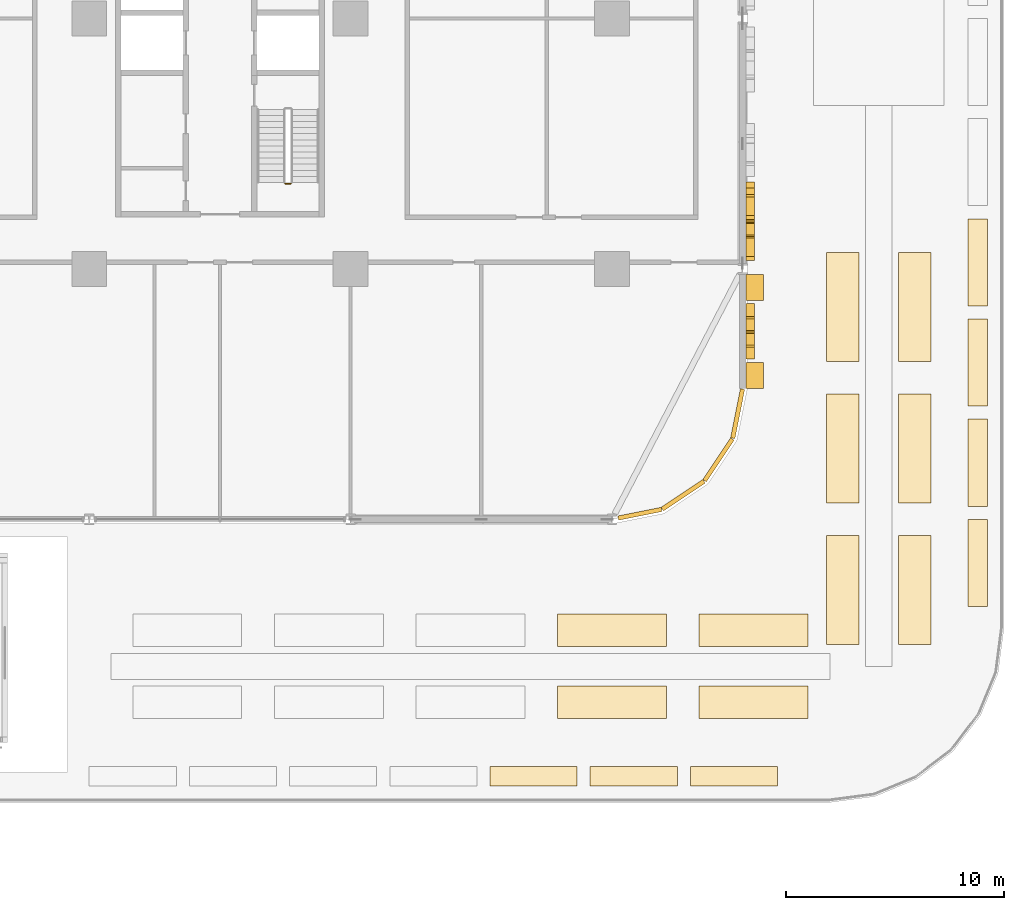
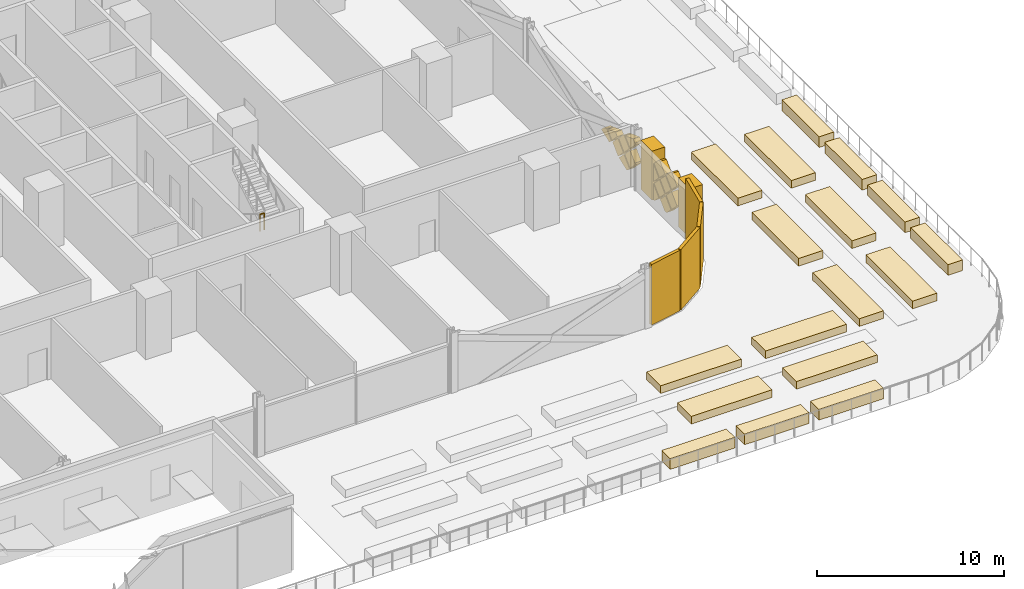
# One storey, part 36 of 39: 38 coverings, 1 railing.
"""IFC4 building model written with IfcOpenShell, lengths in metres."""

from ifc_helpers import new_model, si_unit, direction, frame, origin, origin_2d, place, context, subcontext, project, spatial, polyline, rectangle, circle, outline, extrude, material, layer, layer_set, type_object, element, save


model = new_model("IFC4")

# Units and contexts
model_context = context("Model", 3, precision=1e-05, world=origin(), true_north=direction((0.0, 1.0)))
body_context = subcontext(model_context, "Body", "Model", "MODEL_VIEW")
ifc_project = project(units=[si_unit("LENGTHUNIT", "METRE"), si_unit("AREAUNIT", "SQUARE_METRE"), si_unit("VOLUMEUNIT", "CUBIC_METRE"), si_unit("PLANEANGLEUNIT", "RADIAN"), si_unit("MASSUNIT", "GRAM", prefix="KILO")], contexts=[model_context])

# Site, building, storey
site_placement = place(None, origin())
site = spatial("IfcSite", under=ifc_project, at=site_placement, CompositionType="ELEMENT")
building_placement = place(site_placement, origin())
building = spatial("IfcBuilding", under=site, at=building_placement, Name="Mahtab Terrace Research Tower", CompositionType="ELEMENT")
storey_placement = place(building_placement, frame((0.0, 0.0, 7.199951171875)))
storey = spatial("IfcBuildingStorey", under=building, at=storey_placement, Name="L01", CompositionType="ELEMENT", Elevation=7.199951171875)

# Coverings
ifc_material_1 = material(Name="Black aluminium cladding panel", Category="aluminium")
ifc_layer_1 = layer(ifc_material_1, 0.199951171875)
ifc_layer_set_1 = layer_set([ifc_layer_1], Name="Black metal corner cladding 200")
covering_type_1 = type_object("IfcCoveringType", Name="Black metal corner cladding 200", PredefinedType="CLADDING", material=ifc_layer_set_1)
covering_1_placement = place(storey_placement, frame((43.28173828125, -22.744873046875, 0.0), z_axis=(0.0, 0.0, 1.0), x_axis=(0.980760981187, 0.195212442692, 0.0)))
element("IfcCovering", 1, at=covering_1_placement, inside=storey, type_object=covering_type_1, Name="Corner cladding L01 29", PredefinedType="CLADDING", context=body_context, shape_type="SweptSolid", body=[
    extrude(rectangle(XDim=2.0283203125, YDim=0.199951171875, at=origin_2d()), origin(), (0.0, 0.0, 1.0), 3.9599609375),
])
for number, where, z_axis, x_axis, name in (
    (2, (45.26953125, -21.89306640625, 0.0), (0.0, 0.0, 1.0), (0.831655794326, 0.555291490808, 0.0), "Corner cladding L01 30"),
    (3, (46.89306640625, -20.26953125, 0.0), (0.0, 0.0, 1.0), (0.555291490808, 0.831655794326, 0.0), "Corner cladding L01 31"),
    (4, (47.771484375, -18.14794921875, 0.0), (0.0, 0.0, 1.0), (0.195212442692, 0.980760981187, 0.0), "Corner cladding L01 32"),
):
    element("IfcCovering", number, at=place(storey_placement, frame(where, z_axis=z_axis, x_axis=x_axis)), inside=storey, type_object=covering_type_1, Name=name, PredefinedType="CLADDING", context=body_context, shape_type="SweptSolid", body=[
        extrude(rectangle(XDim=2.30126953125, YDim=0.199951171875, at=origin_2d()), origin(), (0.0, 0.0, 1.0), 3.9599609375),
    ])
ifc_material_2 = material(Name="Bronze anodised aluminium", Category="aluminium")
ifc_layer_2 = layer(ifc_material_2, 0.39990234375)
ifc_layer_set_2 = layer_set([ifc_layer_2], Name="Mashrabiya relief panel 400")
covering_type_2 = type_object("IfcCoveringType", Name="Mashrabiya relief panel 400", PredefinedType="CLADDING", material=ifc_layer_set_2)
covering_2_placement = place(storey_placement, frame((48.14990234375, -15.050048828125, 1.830078125), z_axis=(-1.0, 0.0, 0.0), x_axis=(0.0, 0.707106781187, -0.707106781187)))
element("IfcCovering", 5, at=covering_2_placement, inside=storey, type_object=covering_type_2, Name="Mashrabiya lattice cell L01 E33.1", PredefinedType="CLADDING", context=body_context, shape_type="SweptSolid", body=[
    extrude(outline(polyline([(0.0, 0.0), (0.8203543516109556, 0.0), (0.820181718119455, 0.820181718119455), (0.0001726334915006511, 0.820181718119455), (0.0, 0.0)])), origin(), (0.0, 0.0, -1.0), 0.39990234375),
])
covering_3_placement = place(storey_placement, frame((48.14990234375, -14.469970703125, 2.550048828125), z_axis=(-1.0, 0.0, 0.0), x_axis=(0.0, -0.707106781187, -0.707106781187)))
element("IfcCovering", 6, at=covering_3_placement, inside=storey, type_object=covering_type_2, Name="Mashrabiya lattice cell L01 E33.2", PredefinedType="CLADDING", context=body_context, shape_type="SweptSolid", body=[
    extrude(outline(polyline([(0.0, 0.0), (0.8203543516109556, 0.0), (0.820181718119455, 0.820181718119455), (0.087697813682316, 0.8203543516109556), (0.0, 0.7326565379286396), (0.0, 0.0)])), origin(), (0.0, 0.0, -1.0), 0.39990234375),
])
covering_4_placement = place(storey_placement, frame((48.14990234375, -14.97998046875, 0.60009765625), z_axis=(-1.0, 0.0, 0.0), x_axis=(0.0, 0.707255598772, 0.706957932274)))
element("IfcCovering", 7, at=covering_4_placement, inside=storey, type_object=covering_type_2, Name="Mashrabiya lattice cell L01 E33.3", PredefinedType="CLADDING", context=body_context, shape_type="SweptSolid", body=[
    extrude(outline(polyline([(0.0, 0.0), (0.8201817362875763, 0.0), (0.8203543334390104, 0.8200090664636573), (0.162793415215238, 0.8203201046986629), (0.0001384410835714167, 0.6577335880476914), (0.0, 0.0)])), origin(), (0.0, 0.0, -1.0), 0.39990234375),
])
covering_5_placement = place(storey_placement, frame((48.14990234375, -14.39990234375, 2.47998046875), z_axis=(-1.0, 0.0, 0.0), x_axis=(0.0, 0.707106781187, -0.707106781187)))
element("IfcCovering", 8, at=covering_5_placement, inside=storey, type_object=covering_type_2, Name="Mashrabiya lattice cell L01 E33.4", PredefinedType="CLADDING", context=body_context, shape_type="SweptSolid", body=[
    extrude(outline(polyline([(0.0, 0.0), (0.8200090846279543, 0.0), (0.820181718119455, 0.820181718119455), (-0.0001726334915006511, 0.820181718119455), (0.0, 0.0)])), origin(), (0.0, 0.0, -1.0), 0.39990234375),
])
covering_6_placement = place(storey_placement, frame((48.14990234375, -13.75, 1.830078125), z_axis=(-1.0, 0.0, 0.0), x_axis=(0.0, 0.707106781187, -0.707106781187)))
element("IfcCovering", 9, at=covering_6_placement, inside=storey, type_object=covering_type_2, Name="Mashrabiya lattice cell L01 E33.5", PredefinedType="CLADDING", context=body_context, shape_type="SweptSolid", body=[
    extrude(outline(polyline([(0.0, 0.0), (0.8203543516109556, 0.0), (0.820181718119455, 0.820181718119455), (0.0, 0.8203543516109556), (0.0, 0.0)])), origin(), (0.0, 0.0, -1.0), 0.39990234375),
])
covering_7_placement = place(storey_placement, frame((48.14990234375, -13.169921875, 2.550048828125), z_axis=(-1.0, 0.0, 0.0), x_axis=(0.0, -0.707106781187, -0.707106781187)))
element("IfcCovering", 10, at=covering_7_placement, inside=storey, type_object=covering_type_2, Name="Mashrabiya lattice cell L01 E33.6", PredefinedType="CLADDING", context=body_context, shape_type="SweptSolid", body=[
    extrude(outline(polyline([(0.0, 0.0), (0.8203543516109556, 0.0), (0.8203543516109556, 0.8203543516109556), (0.087697813682316, 0.8203543516109556), (0.0, 0.7326565379286396), (0.0, 0.0)])), origin(), (0.0, 0.0, -1.0), 0.39990234375),
])
covering_8_placement = place(storey_placement, frame((48.14990234375, -13.679931640625, 0.60009765625), z_axis=(-1.0, 0.0, 0.0), x_axis=(0.0, 0.707106781187, 0.707106781187)))
element("IfcCovering", 11, at=covering_8_placement, inside=storey, type_object=covering_type_2, Name="Mashrabiya lattice cell L01 E33.7", PredefinedType="CLADDING", context=body_context, shape_type="SweptSolid", body=[
    extrude(outline(polyline([(0.0, 0.0), (0.8200090846279543, 0.0), (0.820181718119455, 0.02261498738658152), (0.0925315514443334, 0.7502651540617031), (-0.0001726334915005956, 0.657560969125869), (0.0, 0.0)])), origin(), (0.0, 0.0, -1.0), 0.39990234375),
])
covering_9_placement = place(storey_placement, frame((48.14990234375, -13.10009765625, 1.320068359375), z_axis=(-1.0, 0.0, 0.0), x_axis=(0.0, -0.706957932274, 0.707255598772)))
element("IfcCovering", 12, at=covering_9_placement, inside=storey, type_object=covering_type_2, Name="Mashrabiya lattice cell L01 E33.8", PredefinedType="CLADDING", context=body_context, shape_type="SweptSolid", body=[
    extrude(outline(polyline([(0.0, 0.0), (0.8201817362875763, 0.0), (0.8203543334390104, 0.8200090664636573), (0.7977393828896235, 0.8201864599990892), (-0.00016787343992121818, 0.022615023221871693), (0.0, 0.0)])), origin(), (0.0, 0.0, -1.0), 0.39990234375),
])
covering_10_placement = place(storey_placement, frame((48.14990234375, -10.60107421875, 1.830078125), z_axis=(-1.0, 0.0, 0.0), x_axis=(0.0, 0.707106781187, -0.707106781187)))
element("IfcCovering", 13, at=covering_10_placement, inside=storey, type_object=covering_type_2, Name="Mashrabiya lattice cell L01 E34.1", PredefinedType="CLADDING", context=body_context, shape_type="SweptSolid", body=[
    extrude(outline(polyline([(0.0, 0.0), (0.8203543516109556, 0.0), (0.820181718119455, 0.820181718119455), (0.0920136509698315, 0.820181718119455), (0.0001726334915005956, 0.728340700641124), (0.0, 0.0)])), origin(), (0.0, 0.0, -1.0), 0.39990234375),
])
covering_11_placement = place(storey_placement, frame((48.14990234375, -10.60107421875, 1.969970703125), z_axis=(-1.0, 0.0, 0.0), x_axis=(0.0, -0.706939160764, 0.707274361884)))
element("IfcCovering", 14, at=covering_11_placement, inside=storey, type_object=covering_type_2, Name="Mashrabiya lattice cell L01 E34.2", PredefinedType="CLADDING", context=body_context, shape_type="SweptSolid", body=[
    extrude(outline(polyline([(0.0, 0.0), (0.728340721100177, 5.551115123125783e-17), (0.8202035044307674, 0.09181924646645268), (0.820436819467716, 0.3478346662523084), (0.00017095584433024502, 0.721262707229366), (0.0, 0.0)])), origin(), (0.0, 0.0, -1.0), 0.39990234375),
])
covering_12_placement = place(storey_placement, frame((48.14990234375, -10.531005859375, 0.60009765625), z_axis=(-1.0, 0.0, 0.0), x_axis=(0.0, 0.707255598772, 0.706957932274)))
element("IfcCovering", 15, at=covering_12_placement, inside=storey, type_object=covering_type_2, Name="Mashrabiya lattice cell L01 E34.3", PredefinedType="CLADDING", context=body_context, shape_type="SweptSolid", body=[
    extrude(outline(polyline([(0.0, 0.0), (0.8201817362875763, 0.0), (0.8203430692038642, 0.7664926852839239), (8.277396020356376e-05, 0.3932590849272024), (0.0, 0.0)])), origin(), (0.0, 0.0, -1.0), 0.39990234375),
])
covering_13_placement = place(storey_placement, frame((48.14990234375, -9.37109375, 1.900146484375), z_axis=(-1.0, 0.0, 0.0), x_axis=(0.0, -0.706957932274, -0.707255598772)))
element("IfcCovering", 16, at=covering_13_placement, inside=storey, type_object=covering_type_2, Name="Mashrabiya lattice cell L01 E34.4", PredefinedType="CLADDING", context=body_context, shape_type="SweptSolid", body=[
    extrude(outline(polyline([(0.0, 0.0), (0.8201817362875763, 0.0), (0.8200090664636573, 0.8203543334390104), (0.0535163811797334, 0.8201930005227225), (-0.00014788850659724906, 0.7026182948435968), (0.0, 0.0)])), origin(), (0.0, 0.0, -1.0), 0.39990234375),
])
covering_14_placement = place(storey_placement, frame((48.14990234375, -9.881103515625, 1.25), z_axis=(-1.0, 0.0, 0.0), x_axis=(0.0, 0.707106781187, 0.707106781187)))
element("IfcCovering", 17, at=covering_14_placement, inside=storey, type_object=covering_type_2, Name="Mashrabiya lattice cell L01 E34.5", PredefinedType="CLADDING", context=body_context, shape_type="SweptSolid", body=[
    extrude(outline(polyline([(0.0, 0.0), (0.8203543516109556, 0.0), (0.8203543516109556, 0.8203543516109556), (0.0001726334915005956, 0.8118953105274251), (0.0, 0.0)])), origin(), (0.0, 0.0, -1.0), 0.39990234375),
])
covering_15_placement = place(storey_placement, frame((48.14990234375, -8.65087890625, 1.320068359375), z_axis=(-1.0, 0.0, 0.0), x_axis=(0.0, -0.707106781187, 0.707106781187)))
element("IfcCovering", 18, at=covering_15_placement, inside=storey, type_object=covering_type_2, Name="Mashrabiya lattice cell L01 E34.6", PredefinedType="CLADDING", context=body_context, shape_type="SweptSolid", body=[
    extrude(outline(polyline([(0.0, 0.0), (0.8203543516109556, 0.0), (0.8203543516109555, 0.2658555769109578), (0.0, 0.6390891855353025), (0.0, 0.0)])), origin(), (0.0, 0.0, -1.0), 0.39990234375),
])
covering_16_placement = place(storey_placement, frame((48.14990234375, -8.5810546875, 1.25), z_axis=(-1.0, 0.0, 0.0), x_axis=(0.0, 0.707106781187, 0.707106781187)))
element("IfcCovering", 19, at=covering_16_placement, inside=storey, type_object=covering_type_2, Name="Mashrabiya lattice cell L01 E34.7", PredefinedType="CLADDING", context=body_context, shape_type="SweptSolid", body=[
    extrude(outline(polyline([(0.0, 0.0), (0.6846644272914667, 0.0), (0.8203543516109556, 0.2969296053810698), (0.820181718119455, 0.684491793799966), (0.0, 0.3110855516841208), (0.0, 0.0)])), origin(), (0.0, 0.0, -1.0), 0.39990234375),
])
ifc_material_3 = material(Name="Glazed ceramic tile cladding", Category="masonry")
ifc_layer_3 = layer(ifc_material_3, 0.800048828125)
ifc_layer_set_3 = layer_set([ifc_layer_3], Name="Pishtaq frame pier 800")
covering_type_3 = type_object("IfcCoveringType", Name="Pishtaq frame pier 800", PredefinedType="CLADDING", material=ifc_layer_set_3)
for number, where, z_axis, x_axis, name in (
    (20, (48.550048828125, -16.39990234375, 0.00048828125), (0.0, 0.0, 1.0), (0.0, 1.0, 0.0), "Pishtaq frame pier 33a"),
    (21, (48.550048828125, -12.34912109375, 0.00048828125), (0.0, 0.0, 1.0), (0.0, 1.0, 0.0), "Pishtaq frame pier 33b"),
):
    element("IfcCovering", number, at=place(storey_placement, frame(where, z_axis=z_axis, x_axis=x_axis)), inside=storey, type_object=covering_type_3, Name=name, PredefinedType="CLADDING", context=body_context, shape_type="SweptSolid", body=[
        extrude(rectangle(XDim=1.199951171875, YDim=0.800048828125, at=origin_2d()), origin(), (0.0, 0.0, 1.0), 3.202880859375),
    ])
ifc_material_4 = material(Name="Planting soil and shrubs")
ifc_layer_4 = layer(ifc_material_4, 0.1201171875)
ifc_layer_set_4 = layer_set([ifc_layer_4], Name="Planter")
covering_type_4 = type_object("IfcCoveringType", Name="Planter", PredefinedType="USERDEFINED", material=ifc_layer_set_4)
for number, where, z_axis, x_axis, name in (
    (22, (38.39990234375, -34.800048828125, 0.0302734375), (0.0, 0.0, 1.0), (1.0, 0.0, 0.0), "PLANTER garden hedge"),
    (23, (43.0, -34.800048828125, 0.0302734375), (0.0, 0.0, 1.0), (1.0, 0.0, 0.0), "PLANTER garden hedge"),
    (24, (47.60009765625, -34.800048828125, 0.0302734375), (0.0, 0.0, 1.0), (1.0, 0.0, 0.0), "PLANTER garden hedge"),
    (25, (58.800048828125, -25.0, 0.0302734375), (0.0, 0.0, 1.0), (0.0, 1.0, 0.0), "PLANTER garden hedge"),
    (26, (58.800048828125, -20.39990234375, 0.0302734375), (0.0, 0.0, 1.0), (0.0, 1.0, 0.0), "PLANTER garden hedge"),
    (27, (58.800048828125, -15.800048828125, 0.0302734375), (0.0, 0.0, 1.0), (0.0, 1.0, 0.0), "PLANTER garden hedge"),
    (28, (58.800048828125, -11.199951171875, 0.0302734375), (0.0, 0.0, 1.0), (0.0, 1.0, 0.0), "PLANTER garden hedge"),
):
    element("IfcCovering", number, at=place(storey_placement, frame(where, z_axis=z_axis, x_axis=x_axis)), inside=storey, type_object=covering_type_4, Name=name, ObjectType="PLANTER", PredefinedType="USERDEFINED", context=body_context, shape_type="SweptSolid", body=[
        extrude(rectangle(XDim=4.0, YDim=0.89990234375, at=origin_2d()), origin(), (0.0, 0.0, 1.0), 0.699951171875),
    ])
for number, where, z_axis, x_axis, name in (
    (29, (42.0, -31.39990234375, 0.030029296875), (0.0, 0.0, 1.0), (1.0, 0.0, 0.0), "PLANTER garden bed"),
    (30, (42.0, -28.10009765625, 0.030029296875), (0.0, 0.0, 1.0), (1.0, 0.0, 0.0), "PLANTER garden bed"),
    (31, (48.5, -31.39990234375, 0.030029296875), (0.0, 0.0, 1.0), (1.0, 0.0, 0.0), "PLANTER garden bed"),
    (32, (48.5, -28.10009765625, 0.030029296875), (0.0, 0.0, 1.0), (1.0, 0.0, 0.0), "PLANTER garden bed"),
):
    element("IfcCovering", number, at=place(storey_placement, frame(where, z_axis=z_axis, x_axis=x_axis)), inside=storey, type_object=covering_type_4, Name=name, ObjectType="PLANTER", PredefinedType="USERDEFINED", context=body_context, shape_type="SweptSolid", body=[
        extrude(rectangle(XDim=5.0, YDim=1.5, at=origin_2d()), origin(), (0.0, 0.0, 1.0), 0.5),
    ])
for number, where, z_axis, x_axis, name in (
    (33, (52.60009765625, -26.25, 0.030029296875), (0.0, 0.0, 1.0), (1.0, 0.0, 0.0), "PLANTER garden bed"),
    (34, (55.89990234375, -26.25, 0.030029296875), (0.0, 0.0, 1.0), (1.0, 0.0, 0.0), "PLANTER garden bed"),
    (35, (52.60009765625, -19.75, 0.030029296875), (0.0, 0.0, 1.0), (1.0, 0.0, 0.0), "PLANTER garden bed"),
    (36, (55.89990234375, -19.75, 0.030029296875), (0.0, 0.0, 1.0), (1.0, 0.0, 0.0), "PLANTER garden bed"),
    (37, (52.60009765625, -13.25, 0.030029296875), (0.0, 0.0, 1.0), (1.0, 0.0, 0.0), "PLANTER garden bed"),
    (38, (55.89990234375, -13.25, 0.030029296875), (0.0, 0.0, 1.0), (1.0, 0.0, 0.0), "PLANTER garden bed"),
):
    element("IfcCovering", number, at=place(storey_placement, frame(where, z_axis=z_axis, x_axis=x_axis)), inside=storey, type_object=covering_type_4, Name=name, ObjectType="PLANTER", PredefinedType="USERDEFINED", context=body_context, shape_type="SweptSolid", body=[
        extrude(rectangle(XDim=1.5, YDim=5.0, at=origin_2d()), origin(), (0.0, 0.0, 1.0), 0.5),
    ])

# Railing
ifc_material_5 = material(Name="Stainless steel AISI 304", Category="steel")
railing_type = type_object("IfcRailingType", Name="Stair guard 1100", PredefinedType="GUARDRAIL", material=ifc_material_5)
railing_placement = place(storey_placement, frame((27.0, -7.5849609375, 2.150146484375)))
element("IfcRailing", 39, at=railing_placement, inside=storey, type_object=railing_type, Name="L01 ST4 stair guard 2", PredefinedType="GUARDRAIL", context=body_context, shape_type="SweptSolid", body=[
    extrude(circle(Radius=0.02392578125, at=origin_2d()), frame((0.0, 0.0, 1.076171875), z_axis=(1.0, 0.0, 0.0), x_axis=(0.0, 1.0, 0.0)), (0.0, 0.0, 1.0), 0.25),
    extrude(circle(Radius=0.02099609375, at=origin_2d()), origin(), (0.0, 0.0, 1.0), 1.052001953125),
    extrude(circle(Radius=0.02099609375, at=origin_2d()), frame((0.25, 0.0, 0.0)), (0.0, 0.0, 1.0), 1.052001953125),
])

save(model, "model.ifc")
